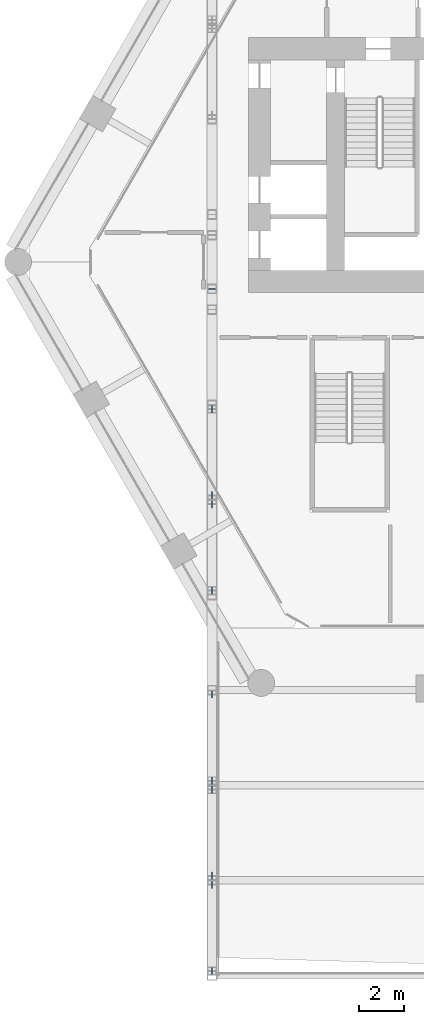
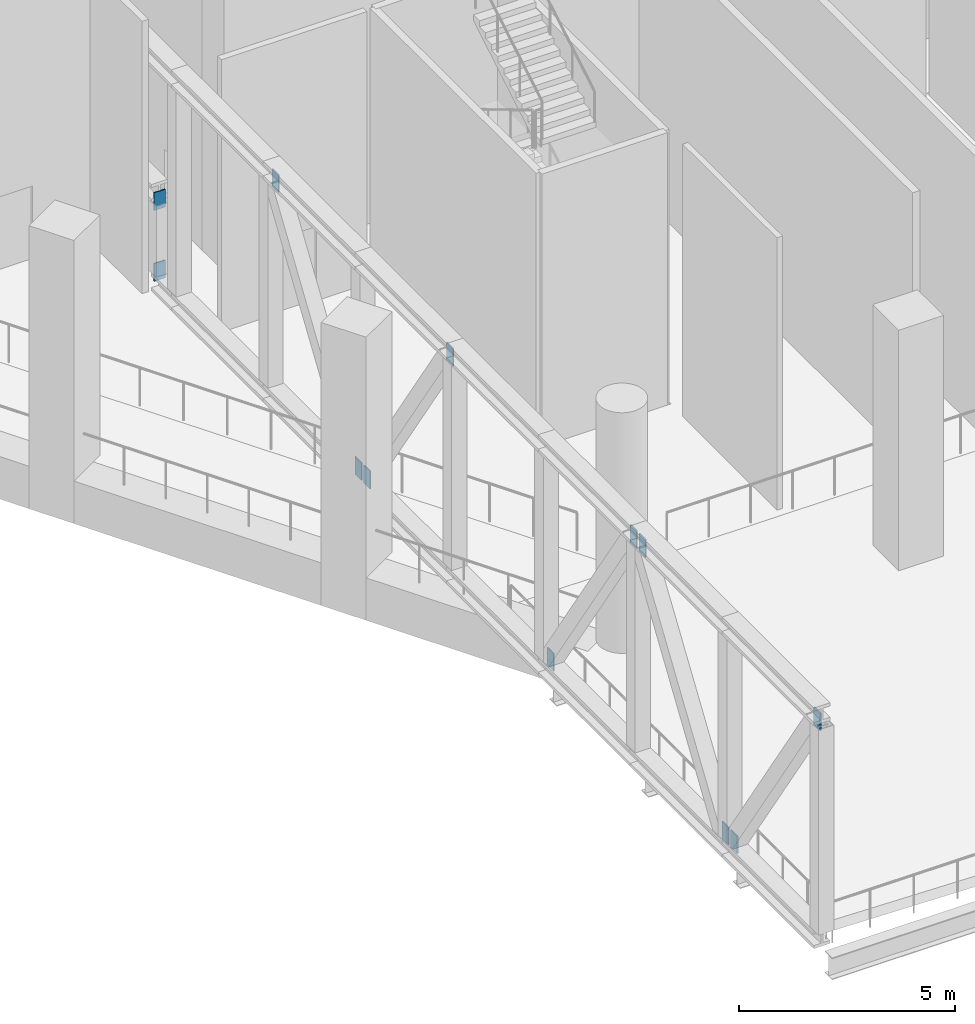
# One storey, part 8 of 16: 12 discrete accessories.
"""IFC4 building model written with IfcOpenShell, lengths in metres."""

from ifc_helpers import new_model, si_unit, direction, frame, origin, origin_2d, place, context, subcontext, project, spatial, rectangle, extrude, material, layer, layer_set, type_object, element, save


model = new_model("IFC4")

# Units and contexts
model_context = context("Model", 3, precision=1e-05, world=origin(), true_north=direction((0.0, 1.0)))
body_context = subcontext(model_context, "Body", "Model", "MODEL_VIEW")
ifc_project = project(units=[si_unit("LENGTHUNIT", "METRE"), si_unit("AREAUNIT", "SQUARE_METRE"), si_unit("VOLUMEUNIT", "CUBIC_METRE"), si_unit("PLANEANGLEUNIT", "RADIAN"), si_unit("MASSUNIT", "GRAM", prefix="KILO")], contexts=[model_context])

# Site, building, storey
site_placement = place(None, origin())
site = spatial("IfcSite", under=ifc_project, at=site_placement, CompositionType="ELEMENT")
building_placement = place(site_placement, origin())
building = spatial("IfcBuilding", under=site, at=building_placement, Name="Ostrander Bayou Hotel Tower", CompositionType="ELEMENT")
storey_placement = place(building_placement, frame((0.0, 0.0, 108.0)))
storey = spatial("IfcBuildingStorey", under=building, at=storey_placement, Name="L27", CompositionType="ELEMENT", Elevation=108.0)

# Discrete accessories
ifc_material = material(Name="Steel ASTM A572 Gr 50", Category="steel")
ifc_layer = layer(ifc_material, 0.030029296875)
ifc_layer_set = layer_set([ifc_layer], Name="GP1 gusset plate 30 mm")
discrete_accessory_type = type_object("IfcDiscreteAccessoryType", Name="GP1 gusset plate 30 mm", PredefinedType="BRACKET", material=ifc_layer_set)
for number, where, z_axis, x_axis, name in (
    (1, (-13.6201171875, -1.52734375, 0.247802734375), (0.0, 0.0, 1.0), (1.0, 0.0, 0.0), "GP1 gusset plate bar 69"),
    (2, (-13.6201171875, -1.52734375, 2.25), (0.0, 0.0, 1.0), (1.0, 0.0, 0.0), "GP1 gusset plate bar 70"),
    (3, (-13.6201171875, -10.748291015625, 0.247802734375), (0.0, 0.0, 1.0), (0.0, 1.0, 0.0), "GP1 gusset plate bar 71"),
    (4, (-13.6201171875, -6.905029296875, 6.05224609375), (0.0, 0.0, 1.0), (0.0, 1.0, 0.0), "GP1 gusset plate bar 72"),
    (5, (-13.6201171875, -11.15478515625, 0.247802734375), (0.0, 0.0, 1.0), (0.0, -1.0, 0.0), "GP1 gusset plate bar 73"),
    (6, (-13.6201171875, -14.998046875, 6.05224609375), (0.0, 0.0, 1.0), (0.0, -1.0, 0.0), "GP1 gusset plate bar 74"),
    (7, (-13.6201171875, -19.654052734375, 0.247802734375), (0.0, 0.0, 1.0), (0.0, -1.0, 0.0), "GP1 gusset plate bar 75"),
    (8, (-13.6201171875, -23.497314453125, 6.05224609375), (0.0, 0.0, 1.0), (0.0, -1.0, 0.0), "GP1 gusset plate bar 76"),
    (9, (-13.6201171875, -27.7470703125, 0.247802734375), (0.0, 0.0, 1.0), (0.0, 1.0, 0.0), "GP1 gusset plate bar 77"),
    (10, (-13.6201171875, -23.90380859375, 6.05224609375), (0.0, 0.0, 1.0), (0.0, 1.0, 0.0), "GP1 gusset plate bar 78"),
    (11, (-13.6201171875, -28.153564453125, 0.247802734375), (0.0, 0.0, 1.0), (0.0, -1.0, 0.0), "GP1 gusset plate bar 79"),
    (12, (-13.6201171875, -31.996826171875, 6.05224609375), (0.0, 0.0, 1.0), (0.0, -1.0, 0.0), "GP1 gusset plate bar 80"),
):
    element("IfcDiscreteAccessory", number, at=place(storey_placement, frame(where, z_axis=z_axis, x_axis=x_axis)), inside=storey, type_object=discrete_accessory_type, Name=name, PredefinedType="BRACKET", context=body_context, shape_type="SweptSolid", body=[
        extrude(rectangle(XDim=0.300048828125, YDim=0.030029296875, at=origin_2d()), origin(), (0.0, 0.0, 1.0), 0.5),
    ])

save(model, "model.ifc")
